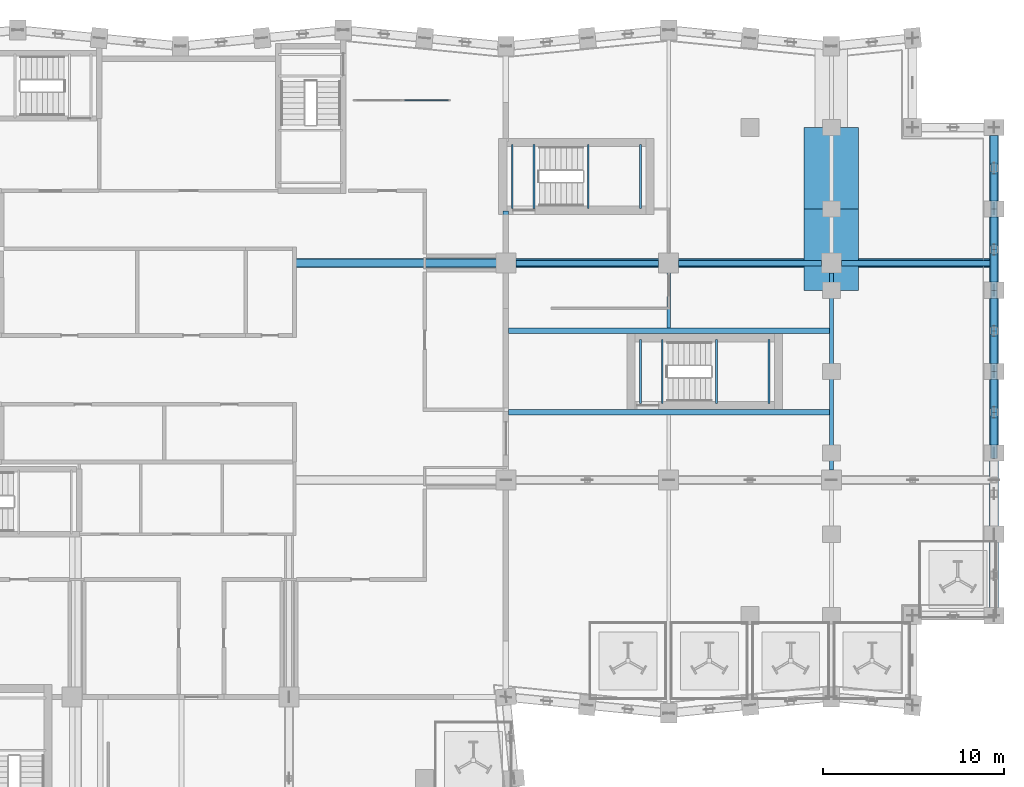
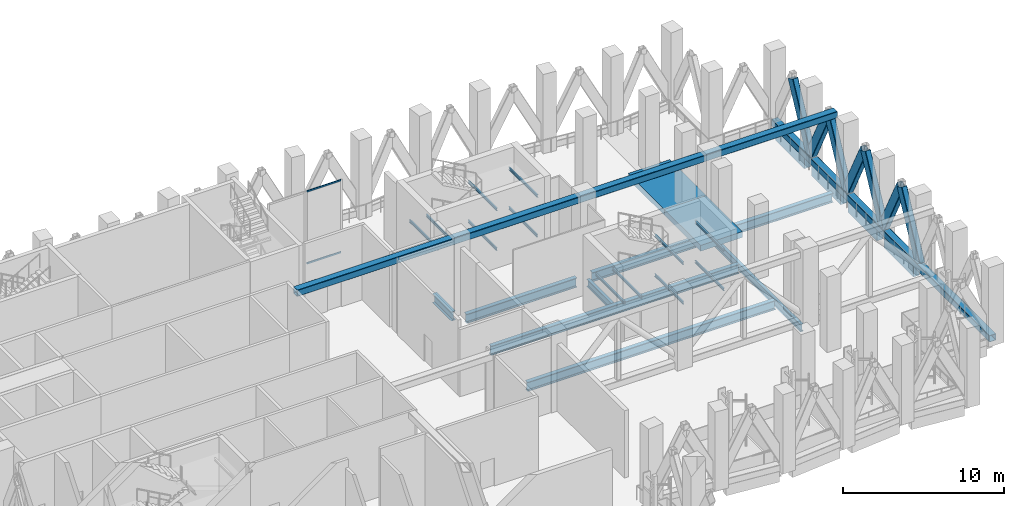
# One storey, part 7 of 28: 26 beams, 11 members, 1 element without a shape of its own.
"""IFC4 building model written with IfcOpenShell, lengths in metres."""

from ifc_helpers import new_model, si_unit, direction, frame, origin, origin_2d, place, context, subcontext, project, spatial, rectangle, hollow_rectangle, i_section, extrude, material, material_profile, profile_set, type_object, element, aggregate, save


model = new_model("IFC4")

# Units and contexts
model_context = context("Model", 3, precision=1e-05, world=origin(), true_north=direction((0.0, 1.0)))
body_context = subcontext(model_context, "Body", "Model", "MODEL_VIEW")
ifc_project = project(units=[si_unit("LENGTHUNIT", "METRE"), si_unit("AREAUNIT", "SQUARE_METRE"), si_unit("VOLUMEUNIT", "CUBIC_METRE"), si_unit("PLANEANGLEUNIT", "RADIAN"), si_unit("MASSUNIT", "GRAM", prefix="KILO")], contexts=[model_context])

# Site, building, storey
site_placement = place(None, origin())
site = spatial("IfcSite", under=ifc_project, at=site_placement, CompositionType="ELEMENT")
building_placement = place(site_placement, origin())
building = spatial("IfcBuilding", under=site, at=building_placement, Name="Brondeck Convention Tower", CompositionType="ELEMENT")
storey_placement = place(building_placement, frame((0.0, 0.0, 192.800048828125)))
storey = spatial("IfcBuildingStorey", under=building, at=storey_placement, Name="L47", CompositionType="ELEMENT", Elevation=192.800048828125)

# Beams
ifc_material_1 = material(Name="Concrete C70/85", Category="concrete")
ifc_material_profile_1 = material_profile(ifc_material_1, rectangle(XDim=3.0, YDim=0.43994140625, at=origin_2d()), Name="Band beam 3000x440 Concrete C70/85")
ifc_profile_set_1 = profile_set([ifc_material_profile_1], Name="Concrete C70/85")
beam_type_1 = type_object("IfcBeamType", Name="Band beam 3000x440 Concrete C70/85", PredefinedType="BEAM", material=ifc_profile_set_1)
for number, where, z_axis, x_axis, name in (
    (1, (54.0, 49.5, -0.219970703125), (0.0, 1.0, 0.0), (-1.0, 0.0, 0.0), "Band beam L47-29"),
    (2, (54.0, 54.0, -0.219970703125), (0.0, 1.0, 0.0), (-1.0, 0.0, 0.0), "Band beam L47-30"),
):
    element("IfcBeam", number, at=place(storey_placement, frame(where, z_axis=z_axis, x_axis=x_axis)), inside=storey, type_object=beam_type_1, Name=name, PredefinedType="BEAM", context=body_context, shape_type="SweptSolid", body=[
        extrude(rectangle(XDim=3.0, YDim=0.43994140625, at=origin_2d()), origin(), (0.0, 0.0, 1.0), 4.5),
    ])

# Curtain wall, members
ifc_material_2 = material(Name="Aluminium, bronze anodised", Category="aluminium")
curtain_wall_type = type_object("IfcCurtainWallType", Name="Band enclosure curtain wall", PredefinedType="NOTDEFINED", material=ifc_material_2)
curtain_wall_placement = place(storey_placement, origin())
curtain_wall = element("IfcCurtainWall", 3, at=curtain_wall_placement, inside=storey, type_object=curtain_wall_type, Name="ENV-L47-001-CW50", PredefinedType="NOTDEFINED")
ifc_material_profile_2 = material_profile(ifc_material_2, rectangle(XDim=0.06005859375, YDim=0.1201171875, at=origin_2d()), Name="CW5 transom")
ifc_profile_set_2 = profile_set([ifc_material_profile_2], Name="Aluminium, bronze anodised")
member_type_1 = type_object("IfcMemberType", Name="CW5 transom", PredefinedType="USERDEFINED", material=ifc_profile_set_2)
member_1_placement = place(storey_placement, frame((30.389892578125, 60.0, 0.030029296875), z_axis=(1.0, 0.0, 0.0), x_axis=(0.0, 1.0, 0.0)))
member_1 = element("IfcMember", 4, at=member_1_placement, type_object=member_type_1, Name="CW5 transom 1.1", ObjectType="TRANSOM", PredefinedType="USERDEFINED", context=body_context, shape_type="SweptSolid", body=[
    extrude(rectangle(XDim=0.06005859375, YDim=0.1201171875, at=origin_2d()), origin(), (0.0, 0.0, 1.0), 2.43017578125),
])
member_2_placement = place(storey_placement, frame((30.389892578125, 60.0, 5.469970703125), z_axis=(1.0, 0.0, 0.0), x_axis=(0.0, 1.0, 0.0)))
member_2 = element("IfcMember", 5, at=member_2_placement, type_object=member_type_1, Name="CW5 transom 1.2", ObjectType="TRANSOM", PredefinedType="USERDEFINED", context=body_context, shape_type="SweptSolid", body=[
    extrude(rectangle(XDim=0.06005859375, YDim=0.1201171875, at=origin_2d()), origin(), (0.0, 0.0, 1.0), 2.43017578125),
])
aggregate(curtain_wall, [member_1, member_2])

# Members
ifc_material_3 = material(Name="Steel S460", Category="steel")
ifc_material_profile_3 = material_profile(ifc_material_3, hollow_rectangle(XDim=0.39990234375, YDim=0.699951171875, WallThickness=0.030029296875, InnerFilletRadius=0.030029296875, OuterFilletRadius=0.06005859375, at=origin_2d()), Name="RHS 700x400x30")
ifc_profile_set_3 = profile_set([ifc_material_profile_3], Name="Steel S460")
member_type_2 = type_object("IfcMemberType", Name="Chevron brace RHS 700x400x30", PredefinedType="BRACE", material=ifc_profile_set_3)
for number, where, z_axis, x_axis, name in (
    (6, (63.0, 40.5, 0.5), (0.0, 0.453998837511, 0.891002275832), (-1.0, 0.0, 0.0), "Belt truss BT-47-21 diagonal"),
    (7, (63.0, 45.0, 0.5), (0.0, -0.453998837511, 0.891002275832), (1.0, 0.0, 0.0), "Belt truss BT-47-21 diagonal"),
    (8, (63.0, 45.0, 0.5), (0.0, 0.453998837511, 0.891002275832), (-1.0, 0.0, 0.0), "Belt truss BT-47-22 diagonal"),
    (9, (63.0, 49.5, 0.5), (0.0, -0.453998837511, 0.891002275832), (1.0, 0.0, 0.0), "Belt truss BT-47-22 diagonal"),
    (10, (63.0, 49.5, 0.5), (0.0, 0.453998837511, 0.891002275832), (-1.0, 0.0, 0.0), "Belt truss BT-47-23 diagonal"),
    (11, (63.0, 54.0, 0.5), (0.0, -0.453998837511, 0.891002275832), (1.0, 0.0, 0.0), "Belt truss BT-47-23 diagonal"),
    (12, (63.0, 54.0, 0.5), (0.0, 0.453998837511, 0.891002275832), (-1.0, 0.0, 0.0), "Belt truss BT-47-24 diagonal"),
):
    element("IfcMember", number, at=place(storey_placement, frame(where, z_axis=z_axis, x_axis=x_axis)), inside=storey, type_object=member_type_2, Name=name, PredefinedType="BRACE", context=body_context, shape_type="SweptSolid", body=[
        extrude(hollow_rectangle(XDim=0.39990234375, YDim=0.699951171875, WallThickness=0.030029296875, InnerFilletRadius=0.030029296875, OuterFilletRadius=0.06005859375, at=origin_2d()), origin(), (0.0, 0.0, 1.0), 4.9560546875),
    ])

# Beams
ifc_material_4 = material(Name="Steel S355", Category="steel")
ifc_material_profile_4 = material_profile(ifc_material_4, i_section(OverallWidth=0.2099609375, OverallDepth=0.550048828125, WebThickness=0.010986328125, FlangeThickness=0.01708984375, FilletRadius=0.02392578125, at=origin_2d()), Name="IPE 550")
ifc_profile_set_4 = profile_set([ifc_material_profile_4], Name="Steel S355")
beam_type_2 = type_object("IfcBeamType", Name="Floor beam IPE 550", PredefinedType="BEAM", material=ifc_profile_set_4)
beam_1_placement = place(storey_placement, frame((54.0, 39.550048828125, -0.72509765625), z_axis=(0.0, 1.0, 0.0), x_axis=(-1.0, 0.0, 0.0)))
element("IfcBeam", 13, at=beam_1_placement, inside=storey, type_object=beam_type_2, Name="STR-FB-L47-004", PredefinedType="BEAM", context=body_context, shape_type="SweptSolid", body=[
    extrude(i_section(OverallWidth=0.2099609375, OverallDepth=0.550048828125, WebThickness=0.010986328125, FlangeThickness=0.01708984375, FilletRadius=0.02392578125, at=origin_2d()), origin(), (0.0, 0.0, 1.0), 10.89990234375),
])
beam_2_placement = place(storey_placement, frame((45.0, 47.39990234375, -0.72509765625), z_axis=(0.0, 1.0, 0.0), x_axis=(-1.0, 0.0, 0.0)))
element("IfcBeam", 14, at=beam_2_placement, inside=storey, type_object=beam_type_2, Name="STR-FB-L47-009", PredefinedType="BEAM", context=body_context, shape_type="SweptSolid", body=[
    extrude(i_section(OverallWidth=0.2099609375, OverallDepth=0.550048828125, WebThickness=0.010986328125, FlangeThickness=0.01708984375, FilletRadius=0.02392578125, at=origin_2d()), origin(), (0.0, 0.0, 1.0), 3.050048828125),
])
ifc_material_profile_5 = material_profile(ifc_material_4, i_section(OverallWidth=0.300048828125, OverallDepth=0.699951171875, WebThickness=0.01708984375, FlangeThickness=0.031982421875, FilletRadius=0.027099609375, at=origin_2d()), Name="HEB 700")
ifc_profile_set_5 = profile_set([ifc_material_profile_5], Name="Steel S355")
beam_type_3 = type_object("IfcBeamType", Name="Girder HEB 700", PredefinedType="BEAM", material=ifc_profile_set_5)
for number, where, z_axis, x_axis, name in (
    (15, (36.550048828125, 51.0, -0.800048828125), (1.0, 0.0, 0.0), (0.0, 1.0, 0.0), "STR-GR-L47-004"),
    (16, (45.550048828125, 51.0, -0.800048828125), (1.0, 0.0, 0.0), (0.0, 1.0, 0.0), "STR-GR-L47-005"),
):
    element("IfcBeam", number, at=place(storey_placement, frame(where, z_axis=z_axis, x_axis=x_axis)), inside=storey, type_object=beam_type_3, Name=name, PredefinedType="BEAM", context=body_context, shape_type="SweptSolid", body=[
        extrude(i_section(OverallWidth=0.300048828125, OverallDepth=0.699951171875, WebThickness=0.01708984375, FlangeThickness=0.031982421875, FilletRadius=0.027099609375, at=origin_2d()), origin(), (0.0, 0.0, 1.0), 7.89990234375),
    ])
beam_3_placement = place(storey_placement, frame((54.550048828125, 51.0, -0.800048828125), z_axis=(1.0, 0.0, 0.0), x_axis=(0.0, 1.0, 0.0)))
element("IfcBeam", 17, at=beam_3_placement, inside=storey, type_object=beam_type_3, Name="STR-GR-L47-006", PredefinedType="BEAM", context=body_context, shape_type="SweptSolid", body=[
    extrude(i_section(OverallWidth=0.300048828125, OverallDepth=0.699951171875, WebThickness=0.01708984375, FlangeThickness=0.031982421875, FilletRadius=0.027099609375, at=origin_2d()), origin(), (0.0, 0.0, 1.0), 8.224853515625),
])
beam_4_placement = place(storey_placement, frame((36.0, 51.550048828125, -0.800048828125), z_axis=(0.0, 1.0, 0.0), x_axis=(-1.0, 0.0, 0.0)))
element("IfcBeam", 18, at=beam_4_placement, inside=storey, type_object=beam_type_3, Name="STR-GR-L47-009", PredefinedType="BEAM", context=body_context, shape_type="SweptSolid", body=[
    extrude(i_section(OverallWidth=0.300048828125, OverallDepth=0.699951171875, WebThickness=0.01708984375, FlangeThickness=0.031982421875, FilletRadius=0.027099609375, at=origin_2d()), origin(), (0.0, 0.0, 1.0), 2.329833984375),
])
for number, where, z_axis, x_axis, name in (
    (19, (36.14990234375, 42.75, -0.800048828125), (1.0, 0.0, 0.0), (0.0, 1.0, 0.0), "STR-GR-L47-020"),
    (20, (36.14990234375, 47.25, -0.800048828125), (1.0, 0.0, 0.0), (0.0, 1.0, 0.0), "STR-GR-L47-021"),
):
    element("IfcBeam", number, at=place(storey_placement, frame(where, z_axis=z_axis, x_axis=x_axis)), inside=storey, type_object=beam_type_3, Name=name, PredefinedType="BEAM", context=body_context, shape_type="SweptSolid", body=[
        extrude(i_section(OverallWidth=0.300048828125, OverallDepth=0.699951171875, WebThickness=0.01708984375, FlangeThickness=0.031982421875, FilletRadius=0.027099609375, at=origin_2d()), origin(), (0.0, 0.0, 1.0), 17.7451171875),
    ])
ifc_material_profile_6 = material_profile(ifc_material_4, i_section(OverallWidth=0.10009765625, OverallDepth=0.199951171875, WebThickness=0.005615234375, FlangeThickness=0.008544921875, FilletRadius=0.011962890625, at=origin_2d()), Name="IPE200")
ifc_profile_set_6 = profile_set([ifc_material_profile_6], Name="Steel S355")
beam_type_4 = type_object("IfcBeamType", Name="Landing ledger beam IPE 200", PredefinedType="BEAM", material=ifc_profile_set_6)
for number, where, z_axis, x_axis, name in (
    (21, (40.550048828125, 54.030029296875, 1.14990234375), (0.0, 1.0, 0.0), (-1.0, 0.0, 0.0), "L47 ST-AE landing beam"),
    (22, (43.449951171875, 54.030029296875, 1.14990234375), (0.0, 1.0, 0.0), (-1.0, 0.0, 0.0), "L47 ST-AE landing beam"),
    (23, (36.35009765625, 54.030029296875, 2.64990234375), (0.0, 1.0, 0.0), (-1.0, 0.0, 0.0), "L47 ST-AE landing beam"),
    (24, (37.550048828125, 54.030029296875, 2.64990234375), (0.0, 1.0, 0.0), (-1.0, 0.0, 0.0), "L47 ST-AE landing beam"),
    (25, (40.550048828125, 54.030029296875, 4.14990234375), (0.0, 1.0, 0.0), (-1.0, 0.0, 0.0), "L47 ST-AE landing beam"),
    (26, (43.449951171875, 54.030029296875, 4.14990234375), (0.0, 1.0, 0.0), (-1.0, 0.0, 0.0), "L47 ST-AE landing beam"),
    (27, (47.64990234375, 43.22998046875, 1.14990234375), (0.0, 1.0, 0.0), (-1.0, 0.0, 0.0), "L47 ST-AF landing beam"),
    (28, (50.550048828125, 43.22998046875, 1.14990234375), (0.0, 1.0, 0.0), (-1.0, 0.0, 0.0), "L47 ST-AF landing beam"),
    (29, (43.449951171875, 43.22998046875, 2.64990234375), (0.0, 1.0, 0.0), (-1.0, 0.0, 0.0), "L47 ST-AF landing beam"),
    (30, (44.64990234375, 43.22998046875, 2.64990234375), (0.0, 1.0, 0.0), (-1.0, 0.0, 0.0), "L47 ST-AF landing beam"),
    (31, (47.64990234375, 43.22998046875, 4.14990234375), (0.0, 1.0, 0.0), (-1.0, 0.0, 0.0), "L47 ST-AF landing beam"),
    (32, (50.550048828125, 43.22998046875, 4.14990234375), (0.0, 1.0, 0.0), (-1.0, 0.0, 0.0), "L47 ST-AF landing beam"),
):
    element("IfcBeam", number, at=place(storey_placement, frame(where, z_axis=z_axis, x_axis=x_axis)), inside=storey, type_object=beam_type_4, Name=name, PredefinedType="BEAM", context=body_context, shape_type="SweptSolid", body=[
        extrude(i_section(OverallWidth=0.10009765625, OverallDepth=0.199951171875, WebThickness=0.005615234375, FlangeThickness=0.008544921875, FilletRadius=0.011962890625, at=origin_2d()), origin(), (0.0, 0.0, 1.0), 3.5400390625),
    ])
ifc_material_profile_7 = material_profile(ifc_material_1, rectangle(XDim=0.449951171875, YDim=0.800048828125, at=origin_2d()), Name="Precast spandrel 450x800 Concrete C70/85")
ifc_profile_set_7 = profile_set([ifc_material_profile_7], Name="Concrete C70/85")
beam_type_5 = type_object("IfcBeamType", Name="Precast spandrel 450x800 Concrete C70/85", PredefinedType="SPANDREL", material=ifc_profile_set_7)
for number, where, z_axis, x_axis, name in (
    (33, (63.0, 40.949951171875, -0.400146484375), (0.0, 1.0, 0.0), (-1.0, 0.0, 0.0), "STR-SP-L47-021"),
    (34, (63.0, 45.449951171875, -0.400146484375), (0.0, 1.0, 0.0), (-1.0, 0.0, 0.0), "STR-SP-L47-022"),
    (35, (63.0, 49.949951171875, -0.400146484375), (0.0, 1.0, 0.0), (-1.0, 0.0, 0.0), "STR-SP-L47-023"),
    (36, (63.0, 54.449951171875, -0.400146484375), (0.0, 1.0, 0.0), (-1.0, 0.0, 0.0), "STR-SP-L47-024"),
):
    element("IfcBeam", number, at=place(storey_placement, frame(where, z_axis=z_axis, x_axis=x_axis)), inside=storey, type_object=beam_type_5, Name=name, PredefinedType="SPANDREL", context=body_context, shape_type="SweptSolid", body=[
        extrude(rectangle(XDim=0.449951171875, YDim=0.800048828125, at=origin_2d()), origin(), (0.0, 0.0, 1.0), 3.60009765625),
    ])

# Members
ifc_material_profile_8 = material_profile(ifc_material_3, hollow_rectangle(XDim=0.5, YDim=0.5, WallThickness=0.02490234375, InnerFilletRadius=0.02490234375, OuterFilletRadius=0.050048828125, at=origin_2d()), Name="RHS 500x500x25")
ifc_profile_set_8 = profile_set([ifc_material_profile_8], Name="Steel S460")
member_type_3 = type_object("IfcMemberType", Name="Truss chord RHS 500x500x25", PredefinedType="CHORD", material=ifc_profile_set_8)
member_3_placement = place(storey_placement, frame((63.0, 31.5, 0.25), z_axis=(0.0, 1.0, 0.0), x_axis=(-1.0, 0.0, 0.0)))
element("IfcMember", 37, at=member_3_placement, inside=storey, type_object=member_type_3, Name="Belt truss BT-47-11 chord", PredefinedType="CHORD", context=body_context, shape_type="SweptSolid", body=[
    extrude(hollow_rectangle(XDim=0.5, YDim=0.5, WallThickness=0.02490234375, InnerFilletRadius=0.02490234375, OuterFilletRadius=0.050048828125, at=origin_2d()), origin(), (0.0, 0.0, 1.0), 27.0),
])
member_4_placement = place(storey_placement, frame((24.3701171875, 51.0, 5.449951171875), z_axis=(1.0, 0.0, 0.0), x_axis=(0.0, 1.0, 0.0)))
element("IfcMember", 38, at=member_4_placement, inside=storey, type_object=member_type_3, Name="Outrigger truss OT-47-A2 chord", PredefinedType="CHORD", context=body_context, shape_type="SweptSolid", body=[
    extrude(hollow_rectangle(XDim=0.5, YDim=0.5, WallThickness=0.02490234375, InnerFilletRadius=0.02490234375, OuterFilletRadius=0.050048828125, at=origin_2d()), origin(), (0.0, 0.0, 1.0), 38.6298828125),
])

save(model, "model.ifc")
